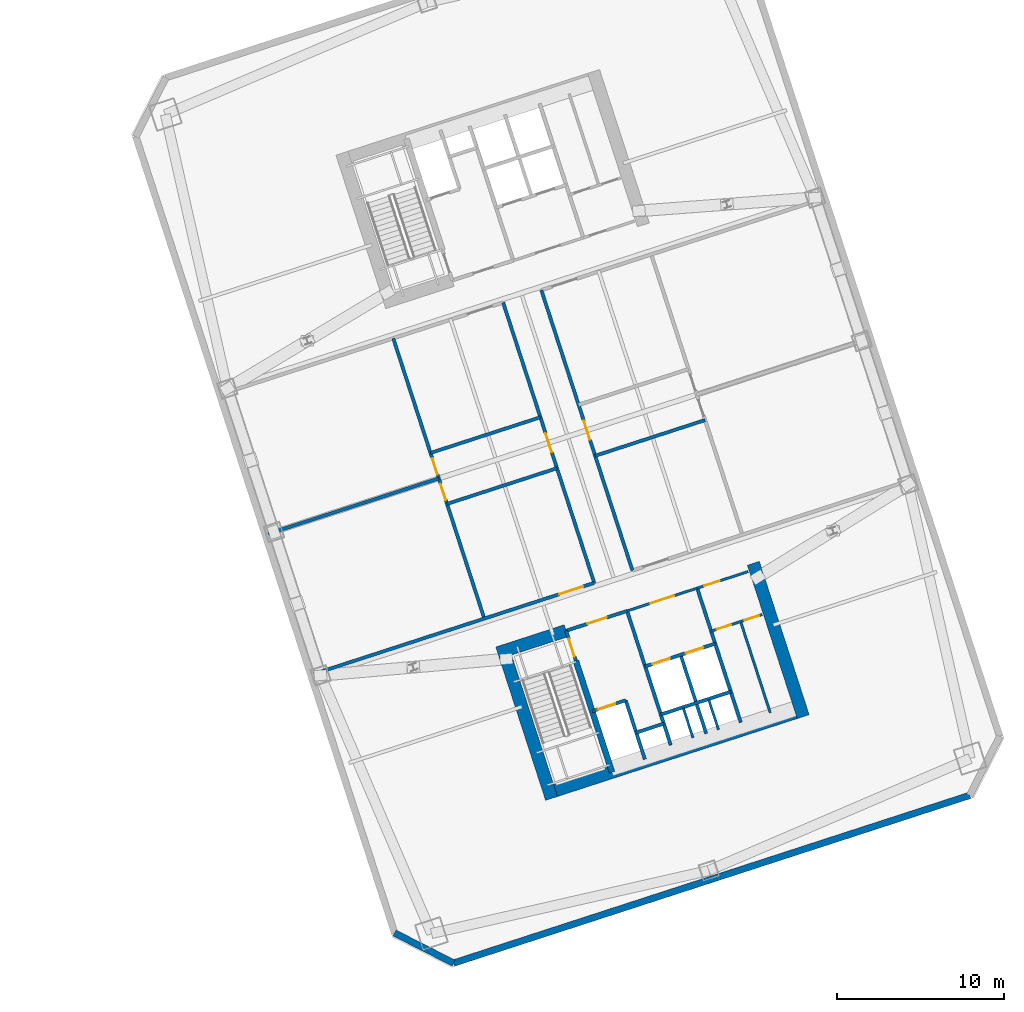
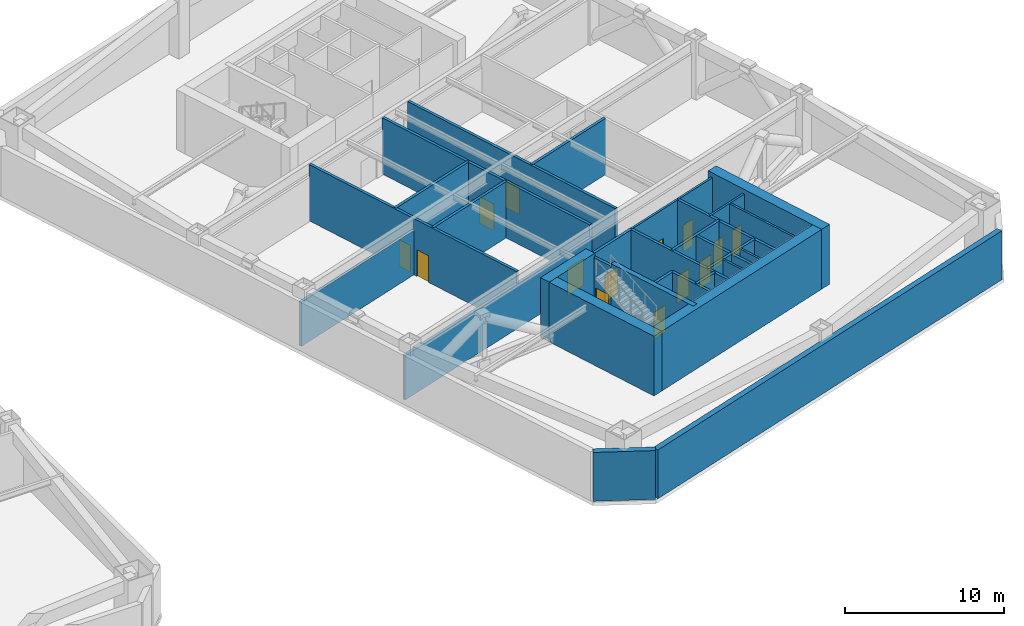
# One storey, part 12 of 16: 31 walls, 14 doors, 14 openings.
"""IFC4 building model written with IfcOpenShell, lengths in metres."""

from ifc_helpers import new_model, si_unit, direction, frame, frame_2d, origin, place, context, subcontext, project, spatial, rectangle, extrude, material, layer, layer_set, type_object, element, fill, save


model = new_model("IFC4")

# Units and contexts
model_context = context("Model", 3, precision=1e-05, world=origin(), true_north=direction((0.0, 1.0)))
body_context = subcontext(model_context, "Body", "Model", "MODEL_VIEW")
ifc_project = project(units=[si_unit("LENGTHUNIT", "METRE"), si_unit("AREAUNIT", "SQUARE_METRE"), si_unit("VOLUMEUNIT", "CUBIC_METRE"), si_unit("PLANEANGLEUNIT", "RADIAN"), si_unit("MASSUNIT", "GRAM", prefix="KILO")], contexts=[model_context])

# Site, building, storey
site_placement = place(None, origin())
site = spatial("IfcSite", under=ifc_project, at=site_placement, CompositionType="ELEMENT")
building_placement = place(site_placement, origin())
building = spatial("IfcBuilding", under=site, at=building_placement, Name="Qiaolan Cultural Towers", CompositionType="ELEMENT")
storey_placement = place(building_placement, frame((0.0, 0.0, 46.0)))
storey = spatial("IfcBuildingStorey", under=building, at=storey_placement, Name="L10", CompositionType="ELEMENT", Elevation=46.0)

# Walls
ifc_material_1 = material(Name="Concrete C50", Category="concrete")
ifc_layer_1 = layer(ifc_material_1, 0.35009765625)
ifc_layer_set_1 = layer_set([ifc_layer_1], Name="Concrete C50")
wall_type_1 = type_object("IfcWallType", Name="WL-CORE-350", PredefinedType="SHEAR", material=ifc_layer_set_1)
wall_1_placement = place(storey_placement, frame((90.486328125, 20.59423828125, 0.0), z_axis=(0.0, 0.0, 1.0), x_axis=(0.309020428229, -0.951055400562, 0.0)))
element("IfcWall", 1, at=wall_1_placement, inside=storey, type_object=wall_type_1, Name="L10 T2-CS Stair Core Dividing Web", PredefinedType="SHEAR", context=body_context, shape_type="SweptSolid", body=[
    extrude(rectangle(XDim=6.97998046875, YDim=0.35009765625, at=frame_2d((3.489990234375, 0.0))), origin(), (0.0, 0.0, 1.0), 4.60009765625),
])
ifc_material_2 = material(Name="Concrete C60", Category="concrete")
ifc_layer_2 = layer(ifc_material_2, 0.75)
ifc_layer_set_2 = layer_set([ifc_layer_2], Name="Concrete C60")
wall_type_2 = type_object("IfcWallType", Name="WL-CORE-750", PredefinedType="SHEAR", material=ifc_layer_set_2)
wall_2_placement = place(storey_placement, frame((88.55859375, 12.628662109375, 0.0), z_axis=(0.0, 0.0, 1.0), x_axis=(0.951056072937, 0.309018358888, 0.0)))
element("IfcWall", 2, at=wall_2_placement, inside=storey, type_object=wall_type_2, Name="L10 T2-CS Outer Core Shear Wall", PredefinedType="SHEAR", context=body_context, shape_type="SweptSolid", body=[
    extrude(rectangle(XDim=16.550048828125, YDim=0.75, at=frame_2d((8.27490234375, 0.0))), origin(), (0.0, 0.0, 1.0), 4.60009765625),
])
wall_3_placement = place(storey_placement, frame((86.05517578125, 21.54638671875, 0.0), z_axis=(0.0, 0.0, 1.0), x_axis=(0.309023585745, -0.951054374604, 0.0)))
element("IfcWall", 3, at=wall_3_placement, inside=storey, type_object=wall_type_2, Name="L10 T2-CS West Core Shear Wall", PredefinedType="SHEAR", context=body_context, shape_type="SweptSolid", body=[
    extrude(rectangle(XDim=9.6298828125, YDim=0.75, at=frame_2d((4.81494140625, 0.0))), origin(), (0.0, 0.0, 1.0), 4.60009765625),
])
wall_4_placement = place(storey_placement, frame((101.08203125, 26.428955078125, 0.0), z_axis=(0.0, 0.0, 1.0), x_axis=(0.309016134813, -0.951056795583, 0.0)))
element("IfcWall", 4, at=wall_4_placement, inside=storey, type_object=wall_type_2, Name="L10 T2-CS East Core Shear Wall", PredefinedType="SHEAR", context=body_context, shape_type="SweptSolid", body=[
    extrude(rectangle(XDim=9.630126953125, YDim=0.75, at=frame_2d((4.81494140625, 0.0))), origin(), (0.0, 0.0, 1.0), 4.60009765625),
])
wall_5_placement = place(storey_placement, frame((85.814453125, 21.073974609375, 0.0), z_axis=(0.0, 0.0, 1.0), x_axis=(0.95106580992, 0.308988390074, 0.0)))
element("IfcWall", 5, at=wall_5_placement, inside=storey, type_object=wall_type_2, Name="L10 T2-CS Stair Front Shear Wall", PredefinedType="SHEAR", context=body_context, shape_type="SweptSolid", body=[
    extrude(rectangle(XDim=4.295166015625, YDim=0.75, at=frame_2d((2.1474609375, 0.0))), origin(), (0.0, 0.0, 1.0), 4.60009765625),
])
ifc_material_3 = material(Name="Precast Concrete C50 Honed Stone Pier", Category="masonry")
ifc_layer_3 = layer(ifc_material_3, 0.39990234375)
ifc_layer_set_3 = layer_set([ifc_layer_3], Name="Precast Concrete C50 Honed Stone Pier")
wall_type_3 = type_object("IfcWallType", Name="WL-EXT-PIER-400", PredefinedType="SOLIDWALL", material=ifc_layer_set_3)
wall_6_placement = place(storey_placement, frame((113.997802734375, 12.566650390625, 0.0), z_axis=(0.0, 0.0, 1.0), x_axis=(-0.951055939317, -0.309018770125, 0.0)))
element("IfcWall", 6, at=wall_6_placement, inside=storey, type_object=wall_type_3, Name="L10 East Tower Precast Pier Facade Wall F7", PredefinedType="SOLIDWALL", context=body_context, shape_type="SweptSolid", body=[
    extrude(rectangle(XDim=32.39990234375, YDim=0.39990234375, at=frame_2d((16.199951171875, 0.0))), origin(), (0.0, 0.0, 1.0), 3.760009765625),
])
wall_7_placement = place(storey_placement, frame((83.18359375, 2.554443359375, 0.0), z_axis=(0.0, 0.0, 1.0), x_axis=(-0.890998089617, 0.454007053137, 0.0)))
element("IfcWall", 7, at=wall_7_placement, inside=storey, type_object=wall_type_3, Name="L10 East Tower Precast Pier Facade Wall F8", PredefinedType="SOLIDWALL", context=body_context, shape_type="SweptSolid", body=[
    extrude(rectangle(XDim=3.9599609375, YDim=0.39990234375, at=frame_2d((1.97998046875, 0.0))), origin(), (0.0, 0.0, 1.0), 3.760009765625),
])

# Wall, opening, door
ifc_material_4 = material(Name="Concrete C35 Fire Wall", Category="concrete")
ifc_layer_4 = layer(ifc_material_4, 0.199951171875)
ifc_layer_set_4 = layer_set([ifc_layer_4], Name="Concrete C35 Fire Wall")
wall_type_4 = type_object("IfcWallType", Name="WL-FIRE-200", PredefinedType="PARTITIONING", material=ifc_layer_set_4)
wall_8_placement = place(storey_placement, frame((89.8994140625, 22.401123046875, 0.0), z_axis=(0.0, 0.0, 1.0), x_axis=(0.308932062672, -0.951084108086, 0.0)))
wall_8 = element("IfcWall", 8, at=wall_8_placement, inside=storey, type_object=wall_type_4, Name="L10 T2-CS Smokeproof Stair Entry Wall", PredefinedType="PARTITIONING", context=body_context, shape_type="SweptSolid", body=[
    extrude(rectangle(XDim=1.89990234375, YDim=0.199951171875, at=frame_2d((0.949951171875, 0.0))), origin(), (0.0, 0.0, 1.0), 4.324951171875),
])
opening_1_placement = place(wall_8_placement, frame((0.52001953125, 0.0, 0.0)))
opening_1 = element("IfcOpeningElement", 9, at=opening_1_placement, cuts=wall_8, Name="Opening FD-04", PredefinedType="OPENING", context=body_context, shape_type="SweptSolid", body=[
    extrude(rectangle(XDim=1.10009765625, YDim=2.050048828125, at=frame_2d((0.550048828125, 1.02490234375))), frame((0.0, 0.10986328125, 0.0), z_axis=(0.0, -1.0, 0.0), x_axis=(1.0, 0.0, 0.0)), (0.0, 0.0, 1.0), 0.219970703125),
])
ifc_material_5 = material(Name="Galvanized Steel Command Fire Door", Category="steel")
door_type_1 = type_object("IfcDoorType", Name="DR-FD90-1100", OperationType="NOTDEFINED", PredefinedType="DOOR", material=ifc_material_5)
door_1_placement = place(opening_1_placement, origin())
door_1 = element("IfcDoor", 10, at=door_1_placement, inside=storey, type_object=door_type_1, Name="L10 ST-E1 Smokeproof Stair Fire Door", OperationType="SINGLE_SWING_LEFT", OverallHeight=2.050048828125, OverallWidth=1.10009765625, PredefinedType="DOOR", context=body_context, shape_type="SweptSolid", body=[
    extrude(rectangle(XDim=1.10009765625, YDim=2.050048828125, at=frame_2d((0.550048828125, 1.02490234375))), frame((0.0, 0.02490234375, 0.0), z_axis=(0.0, -1.0, 0.0), x_axis=(1.0, 0.0, 0.0)), (0.0, 0.0, 1.0), 0.050048828125),
])
fill(opening_1, door_1)

# Wall
wall_9_placement = place(storey_placement, frame((93.541748046875, 23.584716796875, 0.0), z_axis=(0.0, 0.0, 1.0), x_axis=(0.309042196757, -0.951048327176, 0.0)))
element("IfcWall", 11, at=wall_9_placement, inside=storey, type_object=wall_type_4, Name="L10 T2-CS Firefighting Zone Wall", PredefinedType="PARTITIONING", context=body_context, shape_type="SweptSolid", body=[
    extrude(rectangle(XDim=8.429931640625, YDim=0.199951171875, at=frame_2d((4.21484375, 0.0))), origin(), (0.0, 0.0, 1.0), 4.324951171875),
])

# Wall, opening, door
wall_10_placement = place(storey_placement, frame((89.8994140625, 22.401123046875, 0.0), z_axis=(0.0, 0.0, 1.0), x_axis=(0.951046716504, 0.309047153403, 0.0)))
wall_10 = element("IfcWall", 12, at=wall_10_placement, inside=storey, type_object=wall_type_4, Name="L10 T2-CS Firefighting Lobby Front Wall", PredefinedType="PARTITIONING", context=body_context, shape_type="SweptSolid", body=[
    extrude(rectangle(XDim=3.829833984375, YDim=0.199951171875, at=frame_2d((1.9150390625, 0.0))), origin(), (0.0, 0.0, 1.0), 4.324951171875),
])
opening_2_placement = place(wall_10_placement, frame((1.35009765625, 0.0, 0.0)))
opening_2 = element("IfcOpeningElement", 13, at=opening_2_placement, cuts=wall_10, Name="Opening FD-03", PredefinedType="OPENING", context=body_context, shape_type="SweptSolid", body=[
    extrude(rectangle(XDim=1.199951171875, YDim=2.050048828125, at=frame_2d((0.60009765625, 1.02490234375))), frame((0.0, 0.10986328125, 0.0), z_axis=(0.0, -1.0, 0.0), x_axis=(1.0, 0.0, 0.0)), (0.0, 0.0, 1.0), 0.219970703125),
])
ifc_material_6 = material(Name="Galvanized Steel Smokeproof Lobby Fire Door", Category="steel")
door_type_2 = type_object("IfcDoorType", Name="DR-FD90-1200", OperationType="NOTDEFINED", PredefinedType="DOOR", material=ifc_material_6)
door_2_placement = place(opening_2_placement, origin())
door_2 = element("IfcDoor", 14, at=door_2_placement, inside=storey, type_object=door_type_2, Name="L10 FFL-E1 Firefighting Lobby Fire Door", OperationType="SINGLE_SWING_LEFT", OverallHeight=2.050048828125, OverallWidth=1.199951171875, PredefinedType="DOOR", context=body_context, shape_type="SweptSolid", body=[
    extrude(rectangle(XDim=1.199951171875, YDim=2.050048828125, at=frame_2d((0.60009765625, 1.02490234375))), frame((0.0, 0.02490234375, 0.0), z_axis=(0.0, -1.0, 0.0), x_axis=(1.0, 0.0, 0.0)), (0.0, 0.0, 1.0), 0.050048828125),
])
fill(opening_2, door_2)

wall_11_placement = place(storey_placement, frame((91.459716796875, 17.598388671875, 0.0), z_axis=(0.0, 0.0, 1.0), x_axis=(0.951062257173, 0.308999325213, 0.0)))
wall_11 = element("IfcWall", 15, at=wall_11_placement, inside=storey, type_object=wall_type_4, Name="L10 T2-CS Firefighting Shaft Front Wall", PredefinedType="PARTITIONING", context=body_context, shape_type="SweptSolid", body=[
    extrude(rectangle(XDim=2.10009765625, YDim=0.199951171875, at=frame_2d((1.050048828125, 0.0))), origin(), (0.0, 0.0, 1.0), 4.324951171875),
])
opening_3_placement = place(wall_11_placement, frame((0.35009765625, 0.0, 0.0)))
opening_3 = element("IfcOpeningElement", 16, at=opening_3_placement, cuts=wall_11, Name="Opening LD-01", PredefinedType="OPENING", context=body_context, shape_type="SweptSolid", body=[
    extrude(rectangle(XDim=1.10009765625, YDim=2.050048828125, at=frame_2d((0.550048828125, 1.02490234375))), frame((0.0, 0.10986328125, 0.0), z_axis=(0.0, -1.0, 0.0), x_axis=(1.0, 0.0, 0.0)), (0.0, 0.0, 1.0), 0.219970703125),
])
ifc_material_7 = material(Name="Brushed Stainless Steel S30408 Centre-Parting Lift Landing Door", Category="steel")
door_type_3 = type_object("IfcDoorType", Name="DR-LIFT-1100", OperationType="NOTDEFINED", PredefinedType="DOOR", material=ifc_material_7)
door_3_placement = place(opening_3_placement, origin())
door_3 = element("IfcDoor", 17, at=door_3_placement, inside=storey, type_object=door_type_3, Name="L10 FFL-E1 Firefighting Lift Landing Door", OperationType="DOUBLE_DOOR_SLIDING", OverallHeight=2.050048828125, OverallWidth=1.10009765625, PredefinedType="DOOR", context=body_context, shape_type="SweptSolid", body=[
    extrude(rectangle(XDim=1.10009765625, YDim=2.050048828125, at=frame_2d((0.550048828125, 1.02490234375))), frame((0.0, 0.02490234375, 0.0), z_axis=(0.0, -1.0, 0.0), x_axis=(1.0, 0.0, 0.0)), (0.0, 0.0, 1.0), 0.050048828125),
])
fill(opening_3, door_3)

# Walls
wall_12_placement = place(storey_placement, frame((93.45703125, 18.247314453125, 0.0), z_axis=(0.0, 0.0, 1.0), x_axis=(0.3089935693, -0.951064127245, 0.0)))
element("IfcWall", 18, at=wall_12_placement, inside=storey, type_object=wall_type_4, Name="L10 T2-CS Firefighting Hoistway East Wall", PredefinedType="PARTITIONING", context=body_context, shape_type="SweptSolid", body=[
    extrude(rectangle(XDim=3.7001953125, YDim=0.199951171875, at=frame_2d((1.85009765625, 0.0))), origin(), (0.0, 0.0, 1.0), 4.324951171875),
])
wall_13_placement = place(storey_placement, frame((94.08447265625, 16.316650390625, 0.0), z_axis=(0.0, 0.0, 1.0), x_axis=(0.951041328149, 0.309063734775, 0.0)))
element("IfcWall", 19, at=wall_13_placement, inside=storey, type_object=wall_type_4, Name="L10 T2-CS Pressurization Shaft Front Wall", PredefinedType="PARTITIONING", context=body_context, shape_type="SweptSolid", body=[
    extrude(rectangle(XDim=1.72998046875, YDim=0.199951171875, at=frame_2d((0.864990234375, 0.0))), origin(), (0.0, 0.0, 1.0), 4.324951171875),
])
wall_14_placement = place(storey_placement, frame((97.7265625, 24.9443359375, 0.0), z_axis=(0.0, 0.0, 1.0), x_axis=(0.309016001439, -0.951056838919, 0.0)))
element("IfcWall", 20, at=wall_14_placement, inside=storey, type_object=wall_type_4, Name="L10 T2-CS Lift Core East Wall", PredefinedType="PARTITIONING", context=body_context, shape_type="SweptSolid", body=[
    extrude(rectangle(XDim=8.429931640625, YDim=0.199951171875, at=frame_2d((4.21484375, 0.0))), origin(), (0.0, 0.0, 1.0), 4.324951171875),
])

# Wall, openings, doors
wall_15_placement = place(storey_placement, frame((94.6171875, 20.275146484375, 0.0), z_axis=(0.0, 0.0, 1.0), x_axis=(0.951058531764, 0.30901079133, 0.0)))
wall_15 = element("IfcWall", 21, at=wall_15_placement, inside=storey, type_object=wall_type_4, Name="L10 T2-CS Passenger Lift Shaft Front Wall", PredefinedType="PARTITIONING", context=body_context, shape_type="SweptSolid", body=[
    extrude(rectangle(XDim=4.39990234375, YDim=0.199951171875, at=frame_2d((2.199951171875, 0.0))), origin(), (0.0, 0.0, 1.0), 4.324951171875),
])
opening_4_placement = place(wall_15_placement, frame((0.449951171875, 0.0, 0.0)))
opening_4 = element("IfcOpeningElement", 22, at=opening_4_placement, cuts=wall_15, Name="Opening LD-01", PredefinedType="OPENING", context=body_context, shape_type="SweptSolid", body=[
    extrude(rectangle(XDim=1.10009765625, YDim=2.050048828125, at=frame_2d((0.550048828125, 1.02490234375))), frame((0.0, 0.10986328125, 0.0), z_axis=(0.0, -1.0, 0.0), x_axis=(1.0, 0.0, 0.0)), (0.0, 0.0, 1.0), 0.219970703125),
])
opening_5_placement = place(wall_15_placement, frame((2.550048828125, 0.0, 0.0)))
opening_5 = element("IfcOpeningElement", 23, at=opening_5_placement, cuts=wall_15, Name="Opening LD-01", PredefinedType="OPENING", context=body_context, shape_type="SweptSolid", body=[
    extrude(rectangle(XDim=1.10009765625, YDim=2.050048828125, at=frame_2d((0.550048828125, 1.02490234375))), frame((0.0, 0.10986328125, 0.0), z_axis=(0.0, -1.0, 0.0), x_axis=(1.0, 0.0, 0.0)), (0.0, 0.0, 1.0), 0.219970703125),
])
door_4_placement = place(opening_4_placement, origin())
door_4 = element("IfcDoor", 24, at=door_4_placement, inside=storey, type_object=door_type_3, Name="L10 Passenger Lift 1 Landing Door", OperationType="DOUBLE_DOOR_SLIDING", OverallHeight=2.050048828125, OverallWidth=1.10009765625, PredefinedType="DOOR", context=body_context, shape_type="SweptSolid", body=[
    extrude(rectangle(XDim=1.10009765625, YDim=2.050048828125, at=frame_2d((0.550048828125, 1.02490234375))), frame((0.0, 0.02490234375, 0.0), z_axis=(0.0, -1.0, 0.0), x_axis=(1.0, 0.0, 0.0)), (0.0, 0.0, 1.0), 0.050048828125),
])
fill(opening_4, door_4)
door_5_placement = place(opening_5_placement, origin())
door_5 = element("IfcDoor", 25, at=door_5_placement, inside=storey, type_object=door_type_3, Name="L10 Passenger Lift 2 Landing Door", OperationType="DOUBLE_DOOR_SLIDING", OverallHeight=2.050048828125, OverallWidth=1.10009765625, PredefinedType="DOOR", context=body_context, shape_type="SweptSolid", body=[
    extrude(rectangle(XDim=1.10009765625, YDim=2.050048828125, at=frame_2d((0.550048828125, 1.02490234375))), frame((0.0, 0.02490234375, 0.0), z_axis=(0.0, -1.0, 0.0), x_axis=(1.0, 0.0, 0.0)), (0.0, 0.0, 1.0), 0.050048828125),
])
fill(opening_5, door_5)

# Walls
wall_16_placement = place(storey_placement, frame((96.738037109375, 20.964111328125, 0.0), z_axis=(0.0, 0.0, 1.0), x_axis=(0.309042578481, -0.951048203135, 0.0)))
element("IfcWall", 26, at=wall_16_placement, inside=storey, type_object=wall_type_4, Name="L10 T2-CS Lift Shaft Divider Wall", PredefinedType="PARTITIONING", context=body_context, shape_type="SweptSolid", body=[
    extrude(rectangle(XDim=4.9501953125, YDim=0.199951171875, at=frame_2d((2.47509765625, 0.0))), origin(), (0.0, 0.0, 1.0), 4.324951171875),
])
wall_17_placement = place(storey_placement, frame((95.550537109375, 17.40283203125, 0.0), z_axis=(0.0, 0.0, 1.0), x_axis=(0.951058531764, 0.30901079133, 0.0)))
element("IfcWall", 27, at=wall_17_placement, inside=storey, type_object=wall_type_4, Name="L10 T2-CS Passenger Lift Shaft Back Wall", PredefinedType="PARTITIONING", context=body_context, shape_type="SweptSolid", body=[
    extrude(rectangle(XDim=4.39990234375, YDim=0.199951171875, at=frame_2d((2.199951171875, 0.0))), origin(), (0.0, 0.0, 1.0), 4.324951171875),
])

# Wall, opening, door
wall_18_placement = place(storey_placement, frame((74.839599609375, 19.8212890625, 0.0), z_axis=(0.0, 0.0, 1.0), x_axis=(0.951059856335, 0.3090067146, 0.0)))
wall_18 = element("IfcWall", 28, at=wall_18_placement, inside=storey, type_object=wall_type_4, Name="L10 T2 Fire Rated Plant/Refuge Wall SBW", PredefinedType="PARTITIONING", context=body_context, shape_type="SweptSolid", body=[
    extrude(rectangle(XDim=17.599853515625, YDim=0.199951171875, at=frame_2d((8.7998046875, 0.0))), origin(), (0.0, 0.0, 1.0), 3.4150390625),
])
opening_6_placement = place(wall_18_placement, frame((15.39990234375, 0.0, 0.0)))
opening_6 = element("IfcOpeningElement", 29, at=opening_6_placement, cuts=wall_18, Name="Opening FD-02", PredefinedType="OPENING", context=body_context, shape_type="SweptSolid", body=[
    extrude(rectangle(XDim=1.5, YDim=2.050048828125, at=frame_2d((0.75, 1.02490234375))), frame((0.0, 0.10986328125, 0.0), z_axis=(0.0, -1.0, 0.0), x_axis=(1.0, 0.0, 0.0)), (0.0, 0.0, 1.0), 0.219970703125),
])
ifc_material_8 = material(Name="Galvanized Steel Double Fire Door", Category="steel")
door_type_4 = type_object("IfcDoorType", Name="DR-FD90-1500", OperationType="NOTDEFINED", PredefinedType="DOOR", material=ifc_material_8)
door_6_placement = place(opening_6_placement, origin())
door_6 = element("IfcDoor", 30, at=door_6_placement, inside=storey, type_object=door_type_4, Name="L10 T2 West South Refuge Fire Door", OperationType="SINGLE_SWING_LEFT", OverallHeight=2.050048828125, OverallWidth=1.5, PredefinedType="DOOR", context=body_context, shape_type="SweptSolid", body=[
    extrude(rectangle(XDim=1.5, YDim=2.050048828125, at=frame_2d((0.75, 1.02490234375))), frame((0.0, 0.02490234375, 0.0), z_axis=(0.0, -1.0, 0.0), x_axis=(1.0, 0.0, 0.0)), (0.0, 0.0, 1.0), 0.050048828125),
])
fill(opening_6, door_6)

wall_19_placement = place(storey_placement, frame((91.578125, 25.259765625, 0.0), z_axis=(0.0, 0.0, 1.0), x_axis=(-0.30901518495, 0.951057104211, 0.0)))
wall_19 = element("IfcWall", 31, at=wall_19_placement, inside=storey, type_object=wall_type_4, Name="L10 T2 Fire Rated Plant/Refuge Wall CL", PredefinedType="PARTITIONING", context=body_context, shape_type="SweptSolid", body=[
    extrude(rectangle(XDim=17.60009765625, YDim=0.199951171875, at=frame_2d((8.800048828125, 0.0))), origin(), (0.0, 0.0, 1.0), 4.324951171875),
])
opening_7_placement = place(wall_19_placement, frame((8.199951171875, 0.0, 0.0)))
opening_7 = element("IfcOpeningElement", 32, at=opening_7_placement, cuts=wall_19, Name="Opening FD-03", PredefinedType="OPENING", context=body_context, shape_type="SweptSolid", body=[
    extrude(rectangle(XDim=1.199951171875, YDim=2.050048828125, at=frame_2d((0.60009765625, 1.02490234375))), frame((0.0, 0.10986328125, 0.0), z_axis=(0.0, -1.0, 0.0), x_axis=(1.0, 0.0, 0.0)), (0.0, 0.0, 1.0), 0.219970703125),
])
door_7_placement = place(opening_7_placement, origin())
door_7 = element("IfcDoor", 33, at=door_7_placement, inside=storey, type_object=door_type_2, Name="L10 T2 West Plant Passage Door", OperationType="SINGLE_SWING_LEFT", OverallHeight=2.050048828125, OverallWidth=1.199951171875, PredefinedType="DOOR", context=body_context, shape_type="SweptSolid", body=[
    extrude(rectangle(XDim=1.199951171875, YDim=2.050048828125, at=frame_2d((0.60009765625, 1.02490234375))), frame((0.0, 0.02490234375, 0.0), z_axis=(0.0, -1.0, 0.0), x_axis=(1.0, 0.0, 0.0)), (0.0, 0.0, 1.0), 0.050048828125),
])
fill(opening_7, door_7)

wall_20_placement = place(storey_placement, frame((93.860595703125, 26.00146484375, 0.0), z_axis=(0.0, 0.0, 1.0), x_axis=(-0.30901518495, 0.951057104211, 0.0)))
wall_20 = element("IfcWall", 34, at=wall_20_placement, inside=storey, type_object=wall_type_4, Name="L10 T2 Fire Rated Plant/Refuge Wall CR", PredefinedType="PARTITIONING", context=body_context, shape_type="SweptSolid", body=[
    extrude(rectangle(XDim=17.60009765625, YDim=0.199951171875, at=frame_2d((8.800048828125, 0.0))), origin(), (0.0, 0.0, 1.0), 4.324951171875),
])
opening_8_placement = place(wall_20_placement, frame((8.199951171875, 0.0, 0.0)))
opening_8 = element("IfcOpeningElement", 35, at=opening_8_placement, cuts=wall_20, Name="Opening FD-03", PredefinedType="OPENING", context=body_context, shape_type="SweptSolid", body=[
    extrude(rectangle(XDim=1.199951171875, YDim=2.050048828125, at=frame_2d((0.60009765625, 1.02490234375))), frame((0.0, 0.10986328125, 0.0), z_axis=(0.0, -1.0, 0.0), x_axis=(1.0, 0.0, 0.0)), (0.0, 0.0, 1.0), 0.219970703125),
])
door_8_placement = place(opening_8_placement, origin())
door_8 = element("IfcDoor", 36, at=door_8_placement, inside=storey, type_object=door_type_2, Name="L10 T2 East Plant Passage Door", OperationType="SINGLE_SWING_RIGHT", OverallHeight=2.050048828125, OverallWidth=1.199951171875, PredefinedType="DOOR", context=body_context, shape_type="SweptSolid", body=[
    extrude(rectangle(XDim=1.199951171875, YDim=2.050048828125, at=frame_2d((0.60009765625, 1.02490234375))), frame((0.0, 0.02490234375, 0.0), z_axis=(0.0, -1.0, 0.0), x_axis=(1.0, 0.0, 0.0)), (0.0, 0.0, 1.0), 0.050048828125),
])
fill(opening_8, door_8)

# Wall, openings, doors
wall_21_placement = place(storey_placement, frame((85.015869140625, 23.127685546875, 0.0), z_axis=(0.0, 0.0, 1.0), x_axis=(-0.309019261708, 0.951055779591, 0.0)))
wall_21 = element("IfcWall", 37, at=wall_21_placement, inside=storey, type_object=wall_type_4, Name="L10 T2 Fire Rated Plant/Refuge Wall WL", PredefinedType="PARTITIONING", context=body_context, shape_type="SweptSolid", body=[
    extrude(rectangle(XDim=17.599853515625, YDim=0.199951171875, at=frame_2d((8.7998046875, 0.0))), origin(), (0.0, 0.0, 1.0), 4.324951171875),
])
opening_9_placement = place(wall_21_placement, frame((7.449951171875, 0.0, 0.0)))
opening_9 = element("IfcOpeningElement", 38, at=opening_9_placement, cuts=wall_21, Name="Opening FD-07", PredefinedType="OPENING", context=body_context, shape_type="SweptSolid", body=[
    extrude(rectangle(XDim=1.0, YDim=2.050048828125, at=frame_2d((0.5, 1.02490234375))), frame((0.0, 0.10986328125, 0.0), z_axis=(0.0, -1.0, 0.0), x_axis=(1.0, 0.0, 0.0)), (0.0, 0.0, 1.0), 0.219970703125),
])
opening_10_placement = place(wall_21_placement, frame((9.050048828125, 0.0, 0.0)))
opening_10 = element("IfcOpeningElement", 39, at=opening_10_placement, cuts=wall_21, Name="Opening FD-07", PredefinedType="OPENING", context=body_context, shape_type="SweptSolid", body=[
    extrude(rectangle(XDim=1.0, YDim=2.050048828125, at=frame_2d((0.5, 1.02490234375))), frame((0.0, 0.10986328125, 0.0), z_axis=(0.0, -1.0, 0.0), x_axis=(1.0, 0.0, 0.0)), (0.0, 0.0, 1.0), 0.219970703125),
])
ifc_material_9 = material(Name="Painted Steel Riser Fire Door", Category="steel")
door_type_5 = type_object("IfcDoorType", Name="DR-FD60-1000", OperationType="NOTDEFINED", PredefinedType="DOOR", material=ifc_material_9)
door_9_placement = place(opening_9_placement, origin())
door_9 = element("IfcDoor", 40, at=door_9_placement, inside=storey, type_object=door_type_5, Name="L10 T2 West Chiller Plant Door", OperationType="SINGLE_SWING_LEFT", OverallHeight=2.050048828125, OverallWidth=1.0, PredefinedType="DOOR", context=body_context, shape_type="SweptSolid", body=[
    extrude(rectangle(XDim=1.0, YDim=2.050048828125, at=frame_2d((0.5, 1.02490234375))), frame((0.0, 0.02490234375, 0.0), z_axis=(0.0, -1.0, 0.0), x_axis=(1.0, 0.0, 0.0)), (0.0, 0.0, 1.0), 0.050048828125),
])
fill(opening_9, door_9)
door_10_placement = place(opening_10_placement, origin())
door_10 = element("IfcDoor", 41, at=door_10_placement, inside=storey, type_object=door_type_5, Name="L10 T2 West Fire Water Pump Plant Door", OperationType="SINGLE_SWING_RIGHT", OverallHeight=2.050048828125, OverallWidth=1.0, PredefinedType="DOOR", context=body_context, shape_type="SweptSolid", body=[
    extrude(rectangle(XDim=1.0, YDim=2.050048828125, at=frame_2d((0.5, 1.02490234375))), frame((0.0, 0.02490234375, 0.0), z_axis=(0.0, -1.0, 0.0), x_axis=(1.0, 0.0, 0.0)), (0.0, 0.0, 1.0), 0.050048828125),
])
fill(opening_10, door_10)

# Walls
wall_22_placement = place(storey_placement, frame((72.1201171875, 28.1904296875, 0.0), z_axis=(0.0, 0.0, 1.0), x_axis=(0.951051840825, 0.309031383622, 0.0)))
element("IfcWall", 42, at=wall_22_placement, inside=storey, type_object=wall_type_4, Name="L10 T2 Fire Rated Plant/Refuge Wall WMID", PredefinedType="PARTITIONING", context=body_context, shape_type="SweptSolid", body=[
    extrude(rectangle(XDim=10.699951171875, YDim=0.199951171875, at=frame_2d((5.35009765625, 0.0))), origin(), (0.0, 0.0, 1.0), 3.4150390625),
])
wall_23_placement = place(storey_placement, frame((82.790771484375, 29.975341796875, 0.0), z_axis=(0.0, 0.0, 1.0), x_axis=(0.951065265554, 0.308990065628, 0.0)))
element("IfcWall", 43, at=wall_23_placement, inside=storey, type_object=wall_type_4, Name="L10 T2 Fire Rated Plant/Refuge Wall SVS-WL", PredefinedType="PARTITIONING", context=body_context, shape_type="SweptSolid", body=[
    extrude(rectangle(XDim=6.900146484375, YDim=0.199951171875, at=frame_2d((3.4501953125, 0.0))), origin(), (0.0, 0.0, 1.0), 4.324951171875),
])
for number, where, z_axis, x_axis, name in (
    (44, (81.802001953125, 33.0185546875, 0.0), (0.0, 0.0, 1.0), (0.951051488548, 0.309032467762, 0.0), "L10 T2 Fire Rated Plant/Refuge Wall SVS-NL"),
    (45, (91.6357421875, 32.84912109375, 0.0), (0.0, 0.0, 1.0), (0.951051488548, 0.309032467762, 0.0), "L10 T2 Fire Rated Plant/Refuge Wall SVS-WR"),
):
    element("IfcWall", number, at=place(storey_placement, frame(where, z_axis=z_axis, x_axis=x_axis)), inside=storey, type_object=wall_type_4, Name=name, PredefinedType="PARTITIONING", context=body_context, shape_type="SweptSolid", body=[
        extrude(rectangle(XDim=6.89990234375, YDim=0.199951171875, at=frame_2d((3.449951171875, 0.0))), origin(), (0.0, 0.0, 1.0), 4.324951171875),
    ])

# Wall, opening, door
ifc_material_10 = material(Name="Autoclaved Aerated Concrete Block B06", Category="concrete")
ifc_layer_5 = layer(ifc_material_10, 0.14990234375)
ifc_layer_set_5 = layer_set([ifc_layer_5], Name="Autoclaved Aerated Concrete Block B06")
wall_type_5 = type_object("IfcWallType", Name="WL-PART-150", PredefinedType="PARTITIONING", material=ifc_layer_set_5)
wall_24_placement = place(storey_placement, frame((93.541748046875, 23.584716796875, 0.0), z_axis=(0.0, 0.0, 1.0), x_axis=(0.951063829732, 0.308994485023, 0.0)))
wall_24 = element("IfcWall", 46, at=wall_24_placement, inside=storey, type_object=wall_type_5, Name="L10 T2-CS Passenger Lift Lobby Front Wall", PredefinedType="PARTITIONING", context=body_context, shape_type="SweptSolid", body=[
    extrude(rectangle(XDim=4.400146484375, YDim=0.14990234375, at=frame_2d((2.2001953125, 0.0))), origin(), (0.0, 0.0, 1.0), 4.324951171875),
])
opening_11_placement = place(wall_24_placement, frame((1.449951171875, 0.0, 0.0)))
opening_11 = element("IfcOpeningElement", 47, at=opening_11_placement, cuts=wall_24, Name="Opening FD-05", PredefinedType="OPENING", context=body_context, shape_type="SweptSolid", body=[
    extrude(rectangle(XDim=1.5, YDim=2.050048828125, at=frame_2d((0.75, 1.02490234375))), frame((0.0, 0.0849609375, 0.0), z_axis=(0.0, -1.0, 0.0), x_axis=(1.0, 0.0, 0.0)), (0.0, 0.0, 1.0), 0.169921875),
])
ifc_material_11 = material(Name="Painted Steel Lift Lobby Fire Door", Category="steel")
door_type_6 = type_object("IfcDoorType", Name="DR-FD60-1500", OperationType="NOTDEFINED", PredefinedType="DOOR", material=ifc_material_11)
door_11_placement = place(opening_11_placement, origin())
door_11 = element("IfcDoor", 48, at=door_11_placement, inside=storey, type_object=door_type_6, Name="L10 Passenger Lift Lobby Entrance", OperationType="SINGLE_SWING_LEFT", OverallHeight=2.050048828125, OverallWidth=1.5, PredefinedType="DOOR", context=body_context, shape_type="SweptSolid", body=[
    extrude(rectangle(XDim=1.5, YDim=2.050048828125, at=frame_2d((0.75, 1.02490234375))), frame((0.0, 0.02490234375, 0.0), z_axis=(0.0, -1.0, 0.0), x_axis=(1.0, 0.0, 0.0)), (0.0, 0.0, 1.0), 0.050048828125),
])
fill(opening_11, door_11)

# Walls
wall_25_placement = place(storey_placement, frame((96.8974609375, 17.787841796875, 0.0), z_axis=(0.0, 0.0, 1.0), x_axis=(0.30897153969, -0.951071284217, 0.0)))
element("IfcWall", 49, at=wall_25_placement, inside=storey, type_object=wall_type_5, Name="L10 T2-CS Core Rear Split 1", PredefinedType="PARTITIONING", context=body_context, shape_type="SweptSolid", body=[
    extrude(rectangle(XDim=1.8798828125, YDim=0.14990234375, at=frame_2d((0.93994140625, 0.0))), origin(), (0.0, 0.0, 1.0), 4.324951171875),
])
wall_26_placement = place(storey_placement, frame((98.419189453125, 18.282470703125, 0.0), z_axis=(0.0, 0.0, 1.0), x_axis=(0.308933380006, -0.951083680187, 0.0)))
element("IfcWall", 50, at=wall_26_placement, inside=storey, type_object=wall_type_5, Name="L10 T2-CS Core Rear Split 2", PredefinedType="PARTITIONING", context=body_context, shape_type="SweptSolid", body=[
    extrude(rectangle(XDim=1.880126953125, YDim=0.14990234375, at=frame_2d((0.93994140625, 0.0))), origin(), (0.0, 0.0, 1.0), 4.324951171875),
])

# Wall, opening, door
wall_27_placement = place(storey_placement, frame((97.7265625, 24.9443359375, 0.0), z_axis=(0.0, 0.0, 1.0), x_axis=(0.951036872128, 0.309077446369, 0.0)))
wall_27 = element("IfcWall", 51, at=wall_27_placement, inside=storey, type_object=wall_type_5, Name="L10 T2-CS Sanitary Core Front Wall", PredefinedType="PARTITIONING", context=body_context, shape_type="SweptSolid", body=[
    extrude(rectangle(XDim=3.199951171875, YDim=0.14990234375, at=frame_2d((1.60009765625, 0.0))), origin(), (0.0, 0.0, 1.0), 4.324951171875),
])
opening_12_placement = place(wall_27_placement, frame((0.449951171875, 0.0, 0.0)))
opening_12 = element("IfcOpeningElement", 52, at=opening_12_placement, cuts=wall_27, Name="Opening ID-05", PredefinedType="OPENING", context=body_context, shape_type="SweptSolid", body=[
    extrude(rectangle(XDim=0.949951171875, YDim=2.050048828125, at=frame_2d((0.47509765625, 1.02490234375))), frame((0.0, 0.0849609375, 0.0), z_axis=(0.0, -1.0, 0.0), x_axis=(1.0, 0.0, 0.0)), (0.0, 0.0, 1.0), 0.169921875),
])
ifc_material_12 = material(Name="Fire-Rated Laminate Accessible Core Door", Category="timber")
door_type_7 = type_object("IfcDoorType", Name="DR-INT-950", OperationType="NOTDEFINED", PredefinedType="DOOR", material=ifc_material_12)
door_12_placement = place(opening_12_placement, origin())
door_12 = element("IfcDoor", 53, at=door_12_placement, inside=storey, type_object=door_type_7, Name="L10 Sanitary Vestibule Door", OperationType="SINGLE_SWING_LEFT", OverallHeight=2.050048828125, OverallWidth=0.949951171875, PredefinedType="DOOR", context=body_context, shape_type="SweptSolid", body=[
    extrude(rectangle(XDim=0.949951171875, YDim=2.050048828125, at=frame_2d((0.47509765625, 1.02490234375))), frame((0.0, 0.02490234375, 0.0), z_axis=(0.0, -1.0, 0.0), x_axis=(1.0, 0.0, 0.0)), (0.0, 0.0, 1.0), 0.050048828125),
])
fill(opening_12, door_12)

# Wall, openings, doors
wall_28_placement = place(storey_placement, frame((98.560791015625, 22.37646484375, 0.0), z_axis=(0.0, 0.0, 1.0), x_axis=(0.95104415986, 0.309055020985, 0.0)))
wall_28 = element("IfcWall", 54, at=wall_28_placement, inside=storey, type_object=wall_type_5, Name="L10 T2-CS Restroom Vestibule Wall", PredefinedType="PARTITIONING", context=body_context, shape_type="SweptSolid", body=[
    extrude(rectangle(XDim=3.2001953125, YDim=0.14990234375, at=frame_2d((1.60009765625, 0.0))), origin(), (0.0, 0.0, 1.0), 4.324951171875),
])
opening_13_placement = place(wall_28_placement, frame((0.35009765625, 0.0, 0.0)))
opening_13 = element("IfcOpeningElement", 55, at=opening_13_placement, cuts=wall_28, Name="Opening ID-06", PredefinedType="OPENING", context=body_context, shape_type="SweptSolid", body=[
    extrude(rectangle(XDim=0.89990234375, YDim=2.050048828125, at=frame_2d((0.449951171875, 1.02490234375))), frame((0.0, 0.0849609375, 0.0), z_axis=(0.0, -1.0, 0.0), x_axis=(1.0, 0.0, 0.0)), (0.0, 0.0, 1.0), 0.169921875),
])
opening_14_placement = place(wall_28_placement, frame((2.10009765625, 0.0, 0.0)))
opening_14 = element("IfcOpeningElement", 56, at=opening_14_placement, cuts=wall_28, Name="Opening ID-06", PredefinedType="OPENING", context=body_context, shape_type="SweptSolid", body=[
    extrude(rectangle(XDim=0.89990234375, YDim=2.050048828125, at=frame_2d((0.449951171875, 1.02490234375))), frame((0.0, 0.0849609375, 0.0), z_axis=(0.0, -1.0, 0.0), x_axis=(1.0, 0.0, 0.0)), (0.0, 0.0, 1.0), 0.169921875),
])
ifc_material_13 = material(Name="Fire-Rated Laminate Core Service Door", Category="timber")
door_type_8 = type_object("IfcDoorType", Name="DR-INT-900", OperationType="NOTDEFINED", PredefinedType="DOOR", material=ifc_material_13)
door_13_placement = place(opening_13_placement, origin())
door_13 = element("IfcDoor", 57, at=door_13_placement, inside=storey, type_object=door_type_8, Name="L10 Men Restroom Door", OperationType="SINGLE_SWING_LEFT", OverallHeight=2.050048828125, OverallWidth=0.89990234375, PredefinedType="DOOR", context=body_context, shape_type="SweptSolid", body=[
    extrude(rectangle(XDim=0.89990234375, YDim=2.050048828125, at=frame_2d((0.449951171875, 1.02490234375))), frame((0.0, 0.02490234375, 0.0), z_axis=(0.0, -1.0, 0.0), x_axis=(1.0, 0.0, 0.0)), (0.0, 0.0, 1.0), 0.050048828125),
])
fill(opening_13, door_13)
door_14_placement = place(opening_14_placement, origin())
door_14 = element("IfcDoor", 58, at=door_14_placement, inside=storey, type_object=door_type_8, Name="L10 Accessible & Women Restroom Door", OperationType="SINGLE_SWING_RIGHT", OverallHeight=2.050048828125, OverallWidth=0.89990234375, PredefinedType="DOOR", context=body_context, shape_type="SweptSolid", body=[
    extrude(rectangle(XDim=0.89990234375, YDim=2.050048828125, at=frame_2d((0.449951171875, 1.02490234375))), frame((0.0, 0.02490234375, 0.0), z_axis=(0.0, -1.0, 0.0), x_axis=(1.0, 0.0, 0.0)), (0.0, 0.0, 1.0), 0.050048828125),
])
fill(opening_14, door_14)

# Wall
wall_29_placement = place(storey_placement, frame((100.3203125, 22.9482421875, 0.0), z_axis=(0.0, 0.0, 1.0), x_axis=(0.309035009867, -0.951050662518, 0.0)))
element("IfcWall", 59, at=wall_29_placement, inside=storey, type_object=wall_type_5, Name="L10 T2-CS Restroom Divider Wall", PredefinedType="PARTITIONING", context=body_context, shape_type="SweptSolid", body=[
    extrude(rectangle(XDim=5.72998046875, YDim=0.14990234375, at=frame_2d((2.864990234375, 0.0))), origin(), (0.0, 0.0, 1.0), 4.324951171875),
])

save(model, "model.ifc")
